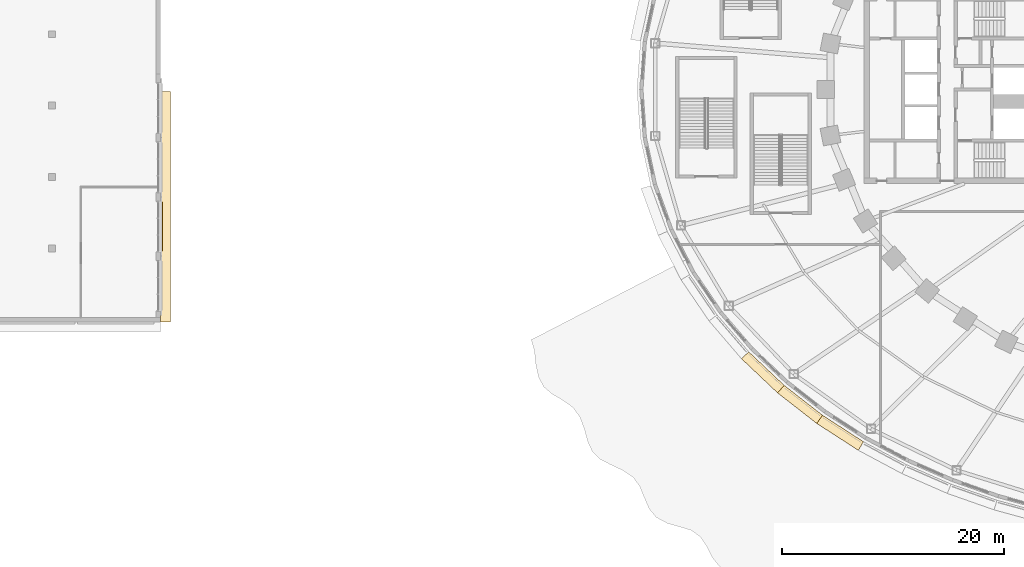
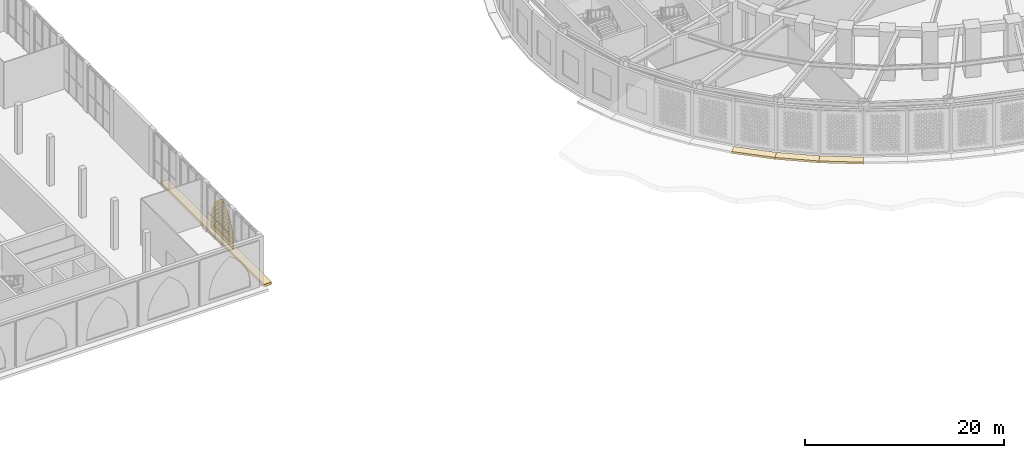
# One storey, part 34 of 74: 5 coverings.
"""IFC4 building model written with IfcOpenShell, lengths in metres."""

from ifc_helpers import new_model, si_unit, direction, frame, origin, place, context, subcontext, project, spatial, polyline, outline, extrude, material, layer, layer_set, type_object, element, save


model = new_model("IFC4")

# Units and contexts
model_context = context("Model", 3, precision=1e-05, world=origin(), true_north=direction((0.0, 1.0)))
body_context = subcontext(model_context, "Body", "Model", "MODEL_VIEW")
ifc_project = project(units=[si_unit("LENGTHUNIT", "METRE"), si_unit("AREAUNIT", "SQUARE_METRE"), si_unit("VOLUMEUNIT", "CUBIC_METRE"), si_unit("PLANEANGLEUNIT", "RADIAN"), si_unit("MASSUNIT", "GRAM", prefix="KILO")], contexts=[model_context])

# Site, building, storey
site_placement = place(None, origin())
site = spatial("IfcSite", under=ifc_project, at=site_placement, CompositionType="ELEMENT")
building_placement = place(site_placement, origin())
building = spatial("IfcBuilding", under=site, at=building_placement, Name="Noorbagh Ring Tower", CompositionType="ELEMENT")
storey_placement = place(building_placement, frame((0.0, 0.0, 7.5)))
storey = spatial("IfcBuildingStorey", under=building, at=storey_placement, Name="L01", CompositionType="ELEMENT", Elevation=7.5)

# Coverings
ifc_material_1 = material(Name="Red sandstone eave", Category="masonry")
covering_type_1 = type_object("IfcCoveringType", Name="STH-CHHAJJA", PredefinedType="USERDEFINED", material=ifc_material_1)
covering_1_placement = place(storey_placement, frame((0.0, 0.0, -0.300048828125)))
element("IfcCovering", 1, at=covering_1_placement, inside=storey, type_object=covering_type_1, Name="Chhajja eave", ObjectType="CHHAJJA", PredefinedType="USERDEFINED", context=body_context, shape_type="SweptSolid", body=[
    extrude(outline(polyline([(-95.0, -21.0), (-95.0, -0.199951171875), (-94.10009765625, -0.199951171875), (-94.10009765625, -21.0), (-95.0, -21.0)])), origin(), (0.0, 0.0, 1.0), 0.300048828125),
])
ifc_material_2 = material(Name="Red sandstone jali", Category="masonry")
ifc_layer = layer(ifc_material_2, 0.0400390625)
ifc_layer_set = layer_set([ifc_layer], Name="Red sandstone jali")
covering_type_2 = type_object("IfcCoveringType", Name="STH-JALI", PredefinedType="USERDEFINED", material=ifc_layer_set)
covering_2_placement = place(storey_placement, frame((-94.840087890625, -14.60009765625, 0.39990234375), z_axis=(1.0, 0.0, 0.0), x_axis=(0.0, 1.0, 0.0)))
element("IfcCovering", 2, at=covering_2_placement, inside=storey, type_object=covering_type_2, Name="Jali screen", ObjectType="SCREEN", PredefinedType="USERDEFINED", context=body_context, shape_type="SweptSolid", body=[
    extrude(outline(polyline([(0.0, 0.0), (4.4501953125, 0.0), (4.4501953125, 1.0), (4.412109375, 1.580810546875), (4.298583984375, 2.15185546875), (4.111328125, 2.702880859375), (3.85400390625, 3.22509765625), (3.530517578125, 3.708984375), (3.146728515625, 4.146728515625), (2.708984375, 4.530517578125), (2.22509765625, 4.85400390625), (1.7412109375, 4.530517578125), (1.303466796875, 4.146728515625), (0.919677734375, 3.708984375), (0.59619140625, 3.22509765625), (0.3388671875, 2.702880859375), (0.151611328125, 2.15185546875), (0.0380859375, 1.580810546875), (0.0, 1.0), (0.0, 0.0)]), holes=[polyline([(0.669921875, 0.552001953125), (0.85009765625, 0.371826171875), (1.030029296875, 0.552001953125), (0.85009765625, 0.73193359375), (0.669921875, 0.552001953125)]), polyline([(1.169921875, 0.552001953125), (1.35009765625, 0.371826171875), (1.530029296875, 0.552001953125), (1.35009765625, 0.73193359375), (1.169921875, 0.552001953125)]), polyline([(1.669921875, 0.552001953125), (1.85009765625, 0.371826171875), (2.030029296875, 0.552001953125), (1.85009765625, 0.73193359375), (1.669921875, 0.552001953125)]), polyline([(2.169921875, 0.552001953125), (2.35009765625, 0.371826171875), (2.530029296875, 0.552001953125), (2.35009765625, 0.73193359375), (2.169921875, 0.552001953125)]), polyline([(2.669921875, 0.552001953125), (2.85009765625, 0.371826171875), (3.030029296875, 0.552001953125), (2.85009765625, 0.73193359375), (2.669921875, 0.552001953125)]), polyline([(3.169921875, 0.552001953125), (3.35009765625, 0.371826171875), (3.530029296875, 0.552001953125), (3.35009765625, 0.73193359375), (3.169921875, 0.552001953125)]), polyline([(3.669921875, 0.552001953125), (3.85009765625, 0.371826171875), (4.030029296875, 0.552001953125), (3.85009765625, 0.73193359375), (3.669921875, 0.552001953125)]), polyline([(0.419921875, 0.802001953125), (0.60009765625, 0.621826171875), (0.780029296875, 0.802001953125), (0.60009765625, 0.98193359375), (0.419921875, 0.802001953125)]), polyline([(0.919921875, 0.802001953125), (1.10009765625, 0.621826171875), (1.280029296875, 0.802001953125), (1.10009765625, 0.98193359375), (0.919921875, 0.802001953125)]), polyline([(1.419921875, 0.802001953125), (1.60009765625, 0.621826171875), (1.780029296875, 0.802001953125), (1.60009765625, 0.98193359375), (1.419921875, 0.802001953125)]), polyline([(1.919921875, 0.802001953125), (2.10009765625, 0.621826171875), (2.280029296875, 0.802001953125), (2.10009765625, 0.98193359375), (1.919921875, 0.802001953125)]), polyline([(2.419921875, 0.802001953125), (2.60009765625, 0.621826171875), (2.780029296875, 0.802001953125), (2.60009765625, 0.98193359375), (2.419921875, 0.802001953125)]), polyline([(2.919921875, 0.802001953125), (3.10009765625, 0.621826171875), (3.280029296875, 0.802001953125), (3.10009765625, 0.98193359375), (2.919921875, 0.802001953125)]), polyline([(3.419921875, 0.802001953125), (3.60009765625, 0.621826171875), (3.780029296875, 0.802001953125), (3.60009765625, 0.98193359375), (3.419921875, 0.802001953125)]), polyline([(0.669921875, 1.052001953125), (0.85009765625, 0.871826171875), (1.030029296875, 1.052001953125), (0.85009765625, 1.23193359375), (0.669921875, 1.052001953125)]), polyline([(1.169921875, 1.052001953125), (1.35009765625, 0.871826171875), (1.530029296875, 1.052001953125), (1.35009765625, 1.23193359375), (1.169921875, 1.052001953125)]), polyline([(1.669921875, 1.052001953125), (1.85009765625, 0.871826171875), (2.030029296875, 1.052001953125), (1.85009765625, 1.23193359375), (1.669921875, 1.052001953125)]), polyline([(2.169921875, 1.052001953125), (2.35009765625, 0.871826171875), (2.530029296875, 1.052001953125), (2.35009765625, 1.23193359375), (2.169921875, 1.052001953125)]), polyline([(2.669921875, 1.052001953125), (2.85009765625, 0.871826171875), (3.030029296875, 1.052001953125), (2.85009765625, 1.23193359375), (2.669921875, 1.052001953125)]), polyline([(3.169921875, 1.052001953125), (3.35009765625, 0.871826171875), (3.530029296875, 1.052001953125), (3.35009765625, 1.23193359375), (3.169921875, 1.052001953125)]), polyline([(3.669921875, 1.052001953125), (3.85009765625, 0.871826171875), (4.030029296875, 1.052001953125), (3.85009765625, 1.23193359375), (3.669921875, 1.052001953125)]), polyline([(0.419921875, 1.302001953125), (0.60009765625, 1.121826171875), (0.780029296875, 1.302001953125), (0.60009765625, 1.48193359375), (0.419921875, 1.302001953125)]), polyline([(0.919921875, 1.302001953125), (1.10009765625, 1.121826171875), (1.280029296875, 1.302001953125), (1.10009765625, 1.48193359375), (0.919921875, 1.302001953125)]), polyline([(1.419921875, 1.302001953125), (1.60009765625, 1.121826171875), (1.780029296875, 1.302001953125), (1.60009765625, 1.48193359375), (1.419921875, 1.302001953125)]), polyline([(1.919921875, 1.302001953125), (2.10009765625, 1.121826171875), (2.280029296875, 1.302001953125), (2.10009765625, 1.48193359375), (1.919921875, 1.302001953125)]), polyline([(2.419921875, 1.302001953125), (2.60009765625, 1.121826171875), (2.780029296875, 1.302001953125), (2.60009765625, 1.48193359375), (2.419921875, 1.302001953125)]), polyline([(2.919921875, 1.302001953125), (3.10009765625, 1.121826171875), (3.280029296875, 1.302001953125), (3.10009765625, 1.48193359375), (2.919921875, 1.302001953125)]), polyline([(3.419921875, 1.302001953125), (3.60009765625, 1.121826171875), (3.780029296875, 1.302001953125), (3.60009765625, 1.48193359375), (3.419921875, 1.302001953125)]), polyline([(0.669921875, 1.552001953125), (0.85009765625, 1.371826171875), (1.030029296875, 1.552001953125), (0.85009765625, 1.73193359375), (0.669921875, 1.552001953125)]), polyline([(1.169921875, 1.552001953125), (1.35009765625, 1.371826171875), (1.530029296875, 1.552001953125), (1.35009765625, 1.73193359375), (1.169921875, 1.552001953125)]), polyline([(1.669921875, 1.552001953125), (1.85009765625, 1.371826171875), (2.030029296875, 1.552001953125), (1.85009765625, 1.73193359375), (1.669921875, 1.552001953125)]), polyline([(2.169921875, 1.552001953125), (2.35009765625, 1.371826171875), (2.530029296875, 1.552001953125), (2.35009765625, 1.73193359375), (2.169921875, 1.552001953125)]), polyline([(2.669921875, 1.552001953125), (2.85009765625, 1.371826171875), (3.030029296875, 1.552001953125), (2.85009765625, 1.73193359375), (2.669921875, 1.552001953125)]), polyline([(3.169921875, 1.552001953125), (3.35009765625, 1.371826171875), (3.530029296875, 1.552001953125), (3.35009765625, 1.73193359375), (3.169921875, 1.552001953125)]), polyline([(3.669921875, 1.552001953125), (3.85009765625, 1.371826171875), (4.030029296875, 1.552001953125), (3.85009765625, 1.73193359375), (3.669921875, 1.552001953125)]), polyline([(0.419921875, 1.802001953125), (0.60009765625, 1.621826171875), (0.780029296875, 1.802001953125), (0.60009765625, 1.98193359375), (0.419921875, 1.802001953125)]), polyline([(0.919921875, 1.802001953125), (1.10009765625, 1.621826171875), (1.280029296875, 1.802001953125), (1.10009765625, 1.98193359375), (0.919921875, 1.802001953125)]), polyline([(1.419921875, 1.802001953125), (1.60009765625, 1.621826171875), (1.780029296875, 1.802001953125), (1.60009765625, 1.98193359375), (1.419921875, 1.802001953125)]), polyline([(1.919921875, 1.802001953125), (2.10009765625, 1.621826171875), (2.280029296875, 1.802001953125), (2.10009765625, 1.98193359375), (1.919921875, 1.802001953125)]), polyline([(2.419921875, 1.802001953125), (2.60009765625, 1.621826171875), (2.780029296875, 1.802001953125), (2.60009765625, 1.98193359375), (2.419921875, 1.802001953125)]), polyline([(2.919921875, 1.802001953125), (3.10009765625, 1.621826171875), (3.280029296875, 1.802001953125), (3.10009765625, 1.98193359375), (2.919921875, 1.802001953125)]), polyline([(3.419921875, 1.802001953125), (3.60009765625, 1.621826171875), (3.780029296875, 1.802001953125), (3.60009765625, 1.98193359375), (3.419921875, 1.802001953125)]), polyline([(0.669921875, 2.052001953125), (0.85009765625, 1.871826171875), (1.030029296875, 2.052001953125), (0.85009765625, 2.23193359375), (0.669921875, 2.052001953125)]), polyline([(1.169921875, 2.052001953125), (1.35009765625, 1.871826171875), (1.530029296875, 2.052001953125), (1.35009765625, 2.23193359375), (1.169921875, 2.052001953125)]), polyline([(1.669921875, 2.052001953125), (1.85009765625, 1.871826171875), (2.030029296875, 2.052001953125), (1.85009765625, 2.23193359375), (1.669921875, 2.052001953125)]), polyline([(2.169921875, 2.052001953125), (2.35009765625, 1.871826171875), (2.530029296875, 2.052001953125), (2.35009765625, 2.23193359375), (2.169921875, 2.052001953125)]), polyline([(2.669921875, 2.052001953125), (2.85009765625, 1.871826171875), (3.030029296875, 2.052001953125), (2.85009765625, 2.23193359375), (2.669921875, 2.052001953125)]), polyline([(3.169921875, 2.052001953125), (3.35009765625, 1.871826171875), (3.530029296875, 2.052001953125), (3.35009765625, 2.23193359375), (3.169921875, 2.052001953125)]), polyline([(3.669921875, 2.052001953125), (3.85009765625, 1.871826171875), (4.030029296875, 2.052001953125), (3.85009765625, 2.23193359375), (3.669921875, 2.052001953125)]), polyline([(0.419921875, 2.302001953125), (0.60009765625, 2.121826171875), (0.780029296875, 2.302001953125), (0.60009765625, 2.48193359375), (0.419921875, 2.302001953125)]), polyline([(0.919921875, 2.302001953125), (1.10009765625, 2.121826171875), (1.280029296875, 2.302001953125), (1.10009765625, 2.48193359375), (0.919921875, 2.302001953125)]), polyline([(1.419921875, 2.302001953125), (1.60009765625, 2.121826171875), (1.780029296875, 2.302001953125), (1.60009765625, 2.48193359375), (1.419921875, 2.302001953125)]), polyline([(1.919921875, 2.302001953125), (2.10009765625, 2.121826171875), (2.280029296875, 2.302001953125), (2.10009765625, 2.48193359375), (1.919921875, 2.302001953125)]), polyline([(2.419921875, 2.302001953125), (2.60009765625, 2.121826171875), (2.780029296875, 2.302001953125), (2.60009765625, 2.48193359375), (2.419921875, 2.302001953125)]), polyline([(2.919921875, 2.302001953125), (3.10009765625, 2.121826171875), (3.280029296875, 2.302001953125), (3.10009765625, 2.48193359375), (2.919921875, 2.302001953125)]), polyline([(3.419921875, 2.302001953125), (3.60009765625, 2.121826171875), (3.780029296875, 2.302001953125), (3.60009765625, 2.48193359375), (3.419921875, 2.302001953125)]), polyline([(0.669921875, 2.552001953125), (0.85009765625, 2.371826171875), (1.030029296875, 2.552001953125), (0.85009765625, 2.73193359375), (0.669921875, 2.552001953125)]), polyline([(1.169921875, 2.552001953125), (1.35009765625, 2.371826171875), (1.530029296875, 2.552001953125), (1.35009765625, 2.73193359375), (1.169921875, 2.552001953125)]), polyline([(1.669921875, 2.552001953125), (1.85009765625, 2.371826171875), (2.030029296875, 2.552001953125), (1.85009765625, 2.73193359375), (1.669921875, 2.552001953125)]), polyline([(2.169921875, 2.552001953125), (2.35009765625, 2.371826171875), (2.530029296875, 2.552001953125), (2.35009765625, 2.73193359375), (2.169921875, 2.552001953125)]), polyline([(2.669921875, 2.552001953125), (2.85009765625, 2.371826171875), (3.030029296875, 2.552001953125), (2.85009765625, 2.73193359375), (2.669921875, 2.552001953125)]), polyline([(3.169921875, 2.552001953125), (3.35009765625, 2.371826171875), (3.530029296875, 2.552001953125), (3.35009765625, 2.73193359375), (3.169921875, 2.552001953125)]), polyline([(3.669921875, 2.552001953125), (3.85009765625, 2.371826171875), (4.030029296875, 2.552001953125), (3.85009765625, 2.73193359375), (3.669921875, 2.552001953125)]), polyline([(0.919921875, 2.802001953125), (1.10009765625, 2.621826171875), (1.280029296875, 2.802001953125), (1.10009765625, 2.98193359375), (0.919921875, 2.802001953125)]), polyline([(1.419921875, 2.802001953125), (1.60009765625, 2.621826171875), (1.780029296875, 2.802001953125), (1.60009765625, 2.98193359375), (1.419921875, 2.802001953125)]), polyline([(1.919921875, 2.802001953125), (2.10009765625, 2.621826171875), (2.280029296875, 2.802001953125), (2.10009765625, 2.98193359375), (1.919921875, 2.802001953125)]), polyline([(2.419921875, 2.802001953125), (2.60009765625, 2.621826171875), (2.780029296875, 2.802001953125), (2.60009765625, 2.98193359375), (2.419921875, 2.802001953125)]), polyline([(2.919921875, 2.802001953125), (3.10009765625, 2.621826171875), (3.280029296875, 2.802001953125), (3.10009765625, 2.98193359375), (2.919921875, 2.802001953125)]), polyline([(3.419921875, 2.802001953125), (3.60009765625, 2.621826171875), (3.780029296875, 2.802001953125), (3.60009765625, 2.98193359375), (3.419921875, 2.802001953125)]), polyline([(0.669921875, 3.052001953125), (0.85009765625, 2.871826171875), (1.030029296875, 3.052001953125), (0.85009765625, 3.23193359375), (0.669921875, 3.052001953125)]), polyline([(1.169921875, 3.052001953125), (1.35009765625, 2.871826171875), (1.530029296875, 3.052001953125), (1.35009765625, 3.23193359375), (1.169921875, 3.052001953125)]), polyline([(1.669921875, 3.052001953125), (1.85009765625, 2.871826171875), (2.030029296875, 3.052001953125), (1.85009765625, 3.23193359375), (1.669921875, 3.052001953125)]), polyline([(2.169921875, 3.052001953125), (2.35009765625, 2.871826171875), (2.530029296875, 3.052001953125), (2.35009765625, 3.23193359375), (2.169921875, 3.052001953125)]), polyline([(2.669921875, 3.052001953125), (2.85009765625, 2.871826171875), (3.030029296875, 3.052001953125), (2.85009765625, 3.23193359375), (2.669921875, 3.052001953125)]), polyline([(3.169921875, 3.052001953125), (3.35009765625, 2.871826171875), (3.530029296875, 3.052001953125), (3.35009765625, 3.23193359375), (3.169921875, 3.052001953125)]), polyline([(0.919921875, 3.302001953125), (1.10009765625, 3.121826171875), (1.280029296875, 3.302001953125), (1.10009765625, 3.48193359375), (0.919921875, 3.302001953125)]), polyline([(1.419921875, 3.302001953125), (1.60009765625, 3.121826171875), (1.780029296875, 3.302001953125), (1.60009765625, 3.48193359375), (1.419921875, 3.302001953125)]), polyline([(1.919921875, 3.302001953125), (2.10009765625, 3.121826171875), (2.280029296875, 3.302001953125), (2.10009765625, 3.48193359375), (1.919921875, 3.302001953125)]), polyline([(2.419921875, 3.302001953125), (2.60009765625, 3.121826171875), (2.780029296875, 3.302001953125), (2.60009765625, 3.48193359375), (2.419921875, 3.302001953125)]), polyline([(2.919921875, 3.302001953125), (3.10009765625, 3.121826171875), (3.280029296875, 3.302001953125), (3.10009765625, 3.48193359375), (2.919921875, 3.302001953125)]), polyline([(1.169921875, 3.552001953125), (1.35009765625, 3.371826171875), (1.530029296875, 3.552001953125), (1.35009765625, 3.73193359375), (1.169921875, 3.552001953125)]), polyline([(1.669921875, 3.552001953125), (1.85009765625, 3.371826171875), (2.030029296875, 3.552001953125), (1.85009765625, 3.73193359375), (1.669921875, 3.552001953125)]), polyline([(2.169921875, 3.552001953125), (2.35009765625, 3.371826171875), (2.530029296875, 3.552001953125), (2.35009765625, 3.73193359375), (2.169921875, 3.552001953125)]), polyline([(2.669921875, 3.552001953125), (2.85009765625, 3.371826171875), (3.030029296875, 3.552001953125), (2.85009765625, 3.73193359375), (2.669921875, 3.552001953125)]), polyline([(1.419921875, 3.802001953125), (1.60009765625, 3.621826171875), (1.780029296875, 3.802001953125), (1.60009765625, 3.98193359375), (1.419921875, 3.802001953125)]), polyline([(1.919921875, 3.802001953125), (2.10009765625, 3.621826171875), (2.280029296875, 3.802001953125), (2.10009765625, 3.98193359375), (1.919921875, 3.802001953125)]), polyline([(2.419921875, 3.802001953125), (2.60009765625, 3.621826171875), (2.780029296875, 3.802001953125), (2.60009765625, 3.98193359375), (2.419921875, 3.802001953125)]), polyline([(2.919921875, 3.802001953125), (3.10009765625, 3.621826171875), (3.280029296875, 3.802001953125), (3.10009765625, 3.98193359375), (2.919921875, 3.802001953125)]), polyline([(1.669921875, 4.052001953125), (1.85009765625, 3.871826171875), (2.030029296875, 4.052001953125), (1.85009765625, 4.23193359375), (1.669921875, 4.052001953125)]), polyline([(2.169921875, 4.052001953125), (2.35009765625, 3.871826171875), (2.530029296875, 4.052001953125), (2.35009765625, 4.23193359375), (2.169921875, 4.052001953125)]), polyline([(2.669921875, 4.052001953125), (2.85009765625, 3.871826171875), (3.030029296875, 4.052001953125), (2.85009765625, 4.23193359375), (2.669921875, 4.052001953125)]), polyline([(1.919921875, 4.302001953125), (2.10009765625, 4.121826171875), (2.280029296875, 4.302001953125), (2.10009765625, 4.48193359375), (1.919921875, 4.302001953125)])]), origin(), (0.0, 0.0, -1.0), 0.0400390625),
])
ifc_material_3 = material(Name="Red sandstone eave", Category="masonry")
covering_type_3 = type_object("IfcCoveringType", Name="STY-CHHAJJA", PredefinedType="USERDEFINED", material=ifc_material_3)
covering_3_placement = place(storey_placement, frame((0.0, 0.0, -0.25)))
element("IfcCovering", 3, at=covering_3_placement, inside=storey, type_object=covering_type_3, Name="Chhajja eave", ObjectType="CHHAJJA", PredefinedType="USERDEFINED", context=body_context, shape_type="SweptSolid", body=[
    extrude(outline(polyline([(-41.906494140625, -23.682373046875), (-38.71435546875, -26.70458984375), (-39.3017578125, -27.3876953125), (-42.55908203125, -24.3037109375), (-41.906494140625, -23.682373046875)])), origin(), (0.0, 0.0, 1.0), 0.25),
])
covering_4_placement = place(storey_placement, frame((0.0, 0.0, -0.25)))
element("IfcCovering", 4, at=covering_4_placement, inside=storey, type_object=covering_type_3, Name="Chhajja eave", ObjectType="CHHAJJA", PredefinedType="USERDEFINED", context=body_context, shape_type="SweptSolid", body=[
    extrude(outline(polyline([(-38.71435546875, -26.70458984375), (-35.247802734375, -29.408203125), (-35.769775390625, -30.142578125), (-39.3017578125, -27.3876953125), (-38.71435546875, -26.70458984375)])), origin(), (0.0, 0.0, 1.0), 0.25),
])
covering_5_placement = place(storey_placement, frame((0.0, 0.0, -0.25)))
element("IfcCovering", 5, at=covering_5_placement, inside=storey, type_object=covering_type_3, Name="Chhajja eave", ObjectType="CHHAJJA", PredefinedType="USERDEFINED", context=body_context, shape_type="SweptSolid", body=[
    extrude(outline(polyline([(-35.247802734375, -29.408203125), (-31.5546875, -31.793701171875), (-32.011474609375, -32.56982421875), (-35.769775390625, -30.142578125), (-35.247802734375, -29.408203125)])), origin(), (0.0, 0.0, 1.0), 0.25),
])

save(model, "model.ifc")
